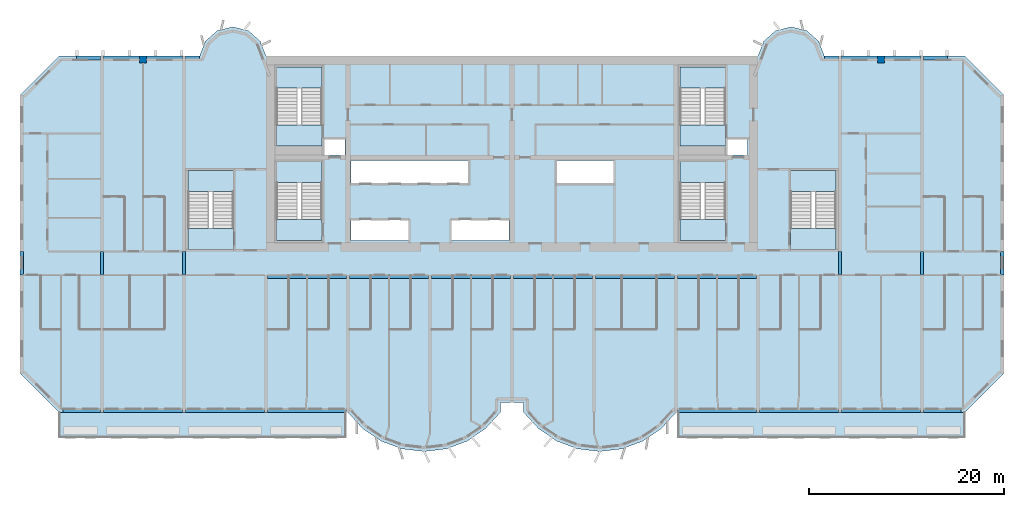
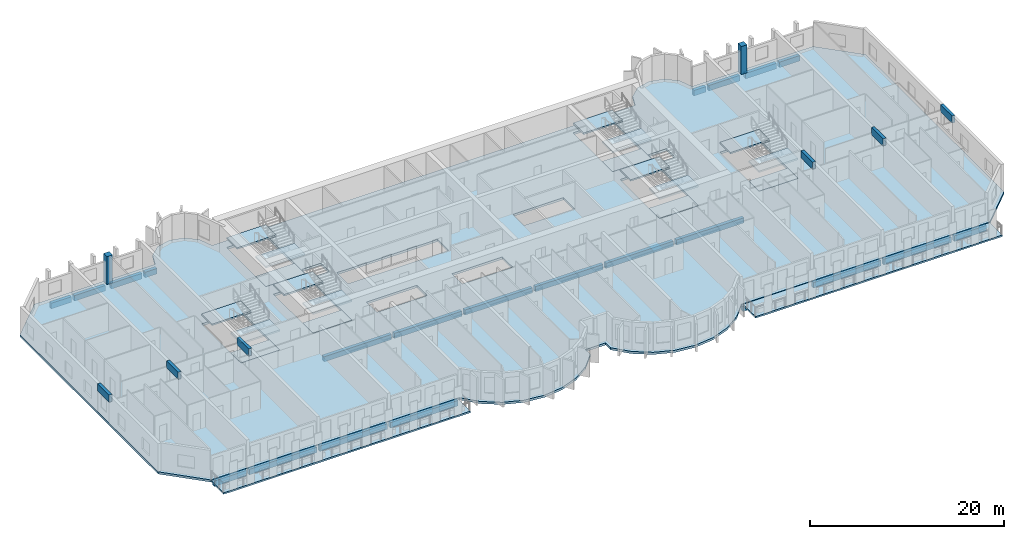
# One storey, part 1 of 14: 28 beams, 21 slabs, 2 columns, 6 elements without a shape of their own.
"""IFC4 building model written with IfcOpenShell, lengths in metres."""

from ifc_helpers import new_model, si_unit, direction, frame, origin, origin_2d, place, context, subcontext, project, spatial, polyline, rectangle, outline, extrude, source, transform, mapped, material, layer, layer_set, material_profile, profile_set, type_object, element, aggregate, save


model = new_model("IFC4")

# Units and contexts
model_context = context("Model", 3, precision=1e-05, world=origin(), true_north=direction((0.0, 1.0)))
body_context = subcontext(model_context, "Body", "Model", "MODEL_VIEW")
ifc_project = project(units=[si_unit("LENGTHUNIT", "METRE"), si_unit("AREAUNIT", "SQUARE_METRE"), si_unit("VOLUMEUNIT", "CUBIC_METRE"), si_unit("PLANEANGLEUNIT", "RADIAN"), si_unit("MASSUNIT", "GRAM", prefix="KILO")], contexts=[model_context])

# Site, building, storey
site_placement = place(None, origin())
site = spatial("IfcSite", under=ifc_project, at=site_placement, CompositionType="ELEMENT")
building_placement = place(site_placement, origin())
building = spatial("IfcBuilding", under=site, at=building_placement, Name="Vanashikhar Sky Hotel", CompositionType="ELEMENT")
storey_placement = place(building_placement, frame((0.0, 0.0, 99.0)))
storey = spatial("IfcBuildingStorey", under=building, at=storey_placement, Name="L23", CompositionType="ELEMENT", Elevation=99.0)

# Columns
ifc_material_1 = material(Name="Concrete M60", Category="concrete")
ifc_material_profile_1 = material_profile(ifc_material_1, rectangle(XDim=0.699951171875, YDim=0.699951171875, at=origin_2d()))
ifc_profile_set_1 = profile_set([ifc_material_profile_1], Name="RC 700x700 column Concrete M60")
column_type = type_object("IfcColumnType", Name="RC 700x700 column Concrete M60", PredefinedType="COLUMN", material=ifc_profile_set_1)
shared_shape_1 = source(origin(), body_context, "Body", "SweptSolid", [
    extrude(rectangle(XDim=0.699951171875, YDim=0.699951171875, at=origin_2d()), origin(), (0.0, 0.0, 1.0), 3.52001953125),
])
for number, where, z_axis, x_axis, name in (
    (1, (12.60009765625, 41.64990234375, 0.0), (0.0, 0.0, 1.0), (1.0, 0.0, 0.0), "CL-L23-CR02"),
    (2, (88.199951171875, 41.64990234375, 0.0), (0.0, 0.0, 1.0), (1.0, 0.0, 0.0), "CL-L23-CR11"),
):
    element("IfcColumn", number, at=place(storey_placement, frame(where, z_axis=z_axis, x_axis=x_axis)), inside=storey, type_object=column_type, Name=name, PredefinedType="COLUMN", context=body_context, shape_type="MappedRepresentation", body=[
        mapped(shared_shape_1, transform((0.0, 0.0, 0.0), scale=1.0)),
    ])

# Beams
ifc_material_2 = material(Name="Concrete M50", Category="concrete")
ifc_material_profile_2 = material_profile(ifc_material_2, rectangle(XDim=0.35009765625, YDim=0.89990234375, at=origin_2d()))
ifc_profile_set_2 = profile_set([ifc_material_profile_2], Name="RC 350x900 beam Concrete M50")
beam_type_1 = type_object("IfcBeamType", Name="RC 350x900 beam Concrete M50", PredefinedType="LINTEL", material=ifc_profile_set_2)
shared_shape_2 = source(origin(), body_context, "Body", "SweptSolid", [
    extrude(rectangle(XDim=0.35009765625, YDim=0.89990234375, at=origin_2d()), origin(), (0.0, 0.0, 1.0), 2.39990234375),
])
for number, where, z_axis, x_axis, name in (
    (3, (0.175048828125, 19.60009765625, 3.070068359375), (0.0, 1.0, 0.0), (-1.0, 0.0, 0.0), "LB-L23-XW01"),
    (4, (8.39990234375, 19.60009765625, 3.070068359375), (0.0, 1.0, 0.0), (-1.0, 0.0, 0.0), "LB-L23-XW02"),
    (5, (16.800048828125, 19.60009765625, 3.070068359375), (0.0, 1.0, 0.0), (-1.0, 0.0, 0.0), "LB-L23-XW03"),
    (6, (84.0, 19.60009765625, 3.070068359375), (0.0, 1.0, 0.0), (-1.0, 0.0, 0.0), "LB-L23-XW11"),
    (7, (92.39990234375, 19.60009765625, 3.070068359375), (0.0, 1.0, 0.0), (-1.0, 0.0, 0.0), "LB-L23-XW12"),
    (8, (100.625, 19.60009765625, 3.070068359375), (0.0, 1.0, 0.0), (-1.0, 0.0, 0.0), "LB-L23-XW13"),
):
    element("IfcBeam", number, at=place(storey_placement, frame(where, z_axis=z_axis, x_axis=x_axis)), inside=storey, type_object=beam_type_1, Name=name, PredefinedType="LINTEL", context=body_context, shape_type="MappedRepresentation", body=[
        mapped(shared_shape_2, transform((0.0, 0.0, 0.0), scale=1.0)),
    ])
ifc_material_profile_3 = material_profile(ifc_material_2, rectangle(XDim=0.39990234375, YDim=0.699951171875, at=origin_2d()))
ifc_profile_set_3 = profile_set([ifc_material_profile_3], Name="RC 400x700 beam Concrete M50")
beam_type_2 = type_object("IfcBeamType", Name="RC 400x700 beam Concrete M50", PredefinedType="SPANDREL", material=ifc_profile_set_3)
shared_shape_3 = source(origin(), body_context, "Body", "SweptSolid", [
    extrude(rectangle(XDim=0.39990234375, YDim=0.699951171875, at=origin_2d()), origin(), (0.0, 0.0, 1.0), 8.050048828125),
])
for number, where, z_axis, x_axis, name in (
    (9, (8.574951171875, 5.699951171875, -0.6298828125), (1.0, 0.0, 0.0), (0.0, 1.0, 0.0), "EB-L23-F01"),
    (10, (25.375, 5.699951171875, -0.6298828125), (1.0, 0.0, 0.0), (0.0, 1.0, 0.0), "EB-L23-F03"),
    (11, (67.375, 5.699951171875, -0.6298828125), (1.0, 0.0, 0.0), (0.0, 1.0, 0.0), "EB-L23-F05"),
    (12, (75.77490234375, 5.699951171875, -0.6298828125), (1.0, 0.0, 0.0), (0.0, 1.0, 0.0), "EB-L23-F06"),
    (13, (84.175048828125, 5.699951171875, -0.6298828125), (1.0, 0.0, 0.0), (0.0, 1.0, 0.0), "EB-L23-F07"),
):
    element("IfcBeam", number, at=place(storey_placement, frame(where, z_axis=z_axis, x_axis=x_axis)), inside=storey, type_object=beam_type_2, Name=name, PredefinedType="SPANDREL", context=body_context, shape_type="MappedRepresentation", body=[
        mapped(shared_shape_3, transform((0.0, 0.0, 0.0), scale=1.0)),
    ])
shared_shape_4 = source(origin(), body_context, "Body", "SweptSolid", [
    extrude(rectangle(XDim=0.39990234375, YDim=0.699951171875, at=origin_2d()), origin(), (0.0, 0.0, 1.0), 8.0498046875),
])
beam_1_placement = place(storey_placement, frame((16.97509765625, 5.699951171875, -0.6298828125), z_axis=(1.0, 0.0, 0.0), x_axis=(0.0, 1.0, 0.0)))
element("IfcBeam", 14, at=beam_1_placement, inside=storey, type_object=beam_type_2, Name="EB-L23-F02", PredefinedType="SPANDREL", context=body_context, shape_type="MappedRepresentation", body=[
    mapped(shared_shape_4, transform((0.0, 0.0, 0.0), scale=1.0)),
])
ifc_material_profile_4 = material_profile(ifc_material_2, rectangle(XDim=0.39990234375, YDim=0.699951171875, at=origin_2d()))
ifc_profile_set_4 = profile_set([ifc_material_profile_4], Name="RC 400x700 cantilever beam Concrete M50")
beam_type_3 = type_object("IfcBeamType", Name="RC 400x700 cantilever beam Concrete M50", PredefinedType="SPANDREL", material=ifc_profile_set_4)
shared_shape_5 = source(origin(), body_context, "Body", "SweptSolid", [
    extrude(rectangle(XDim=0.39990234375, YDim=0.699951171875, at=origin_2d()), origin(), (0.0, 0.0, 1.0), 3.8251953125),
])
beam_2_placement = place(storey_placement, frame((4.39990234375, 5.699951171875, -0.6298828125), z_axis=(1.0, 0.0, 0.0), x_axis=(0.0, 1.0, 0.0)))
element("IfcBeam", 15, at=beam_2_placement, inside=storey, type_object=beam_type_3, Name="EB-L23-F04", PredefinedType="SPANDREL", context=body_context, shape_type="MappedRepresentation", body=[
    mapped(shared_shape_5, transform((0.0, 0.0, 0.0), scale=1.0)),
])
shared_shape_6 = source(origin(), body_context, "Body", "SweptSolid", [
    extrude(rectangle(XDim=0.39990234375, YDim=0.699951171875, at=origin_2d()), origin(), (0.0, 0.0, 1.0), 3.824951171875),
])
beam_3_placement = place(storey_placement, frame((92.574951171875, 5.699951171875, -0.6298828125), z_axis=(1.0, 0.0, 0.0), x_axis=(0.0, 1.0, 0.0)))
element("IfcBeam", 16, at=beam_3_placement, inside=storey, type_object=beam_type_3, Name="EB-L23-F08", PredefinedType="SPANDREL", context=body_context, shape_type="MappedRepresentation", body=[
    mapped(shared_shape_6, transform((0.0, 0.0, 0.0), scale=1.0)),
])
shared_shape_7 = source(origin(), body_context, "Body", "SweptSolid", [
    extrude(rectangle(XDim=0.39990234375, YDim=0.699951171875, at=origin_2d()), origin(), (0.0, 0.0, 1.0), 3.675048828125),
])
for number, where, z_axis, x_axis, name in (
    (17, (8.574951171875, 41.800048828125, -0.6298828125), (1.0, 0.0, 0.0), (0.0, 1.0, 0.0), "EB-L23-R01"),
    (18, (12.949951171875, 41.800048828125, -0.6298828125), (1.0, 0.0, 0.0), (0.0, 1.0, 0.0), "EB-L23-R02"),
    (19, (84.175048828125, 41.800048828125, -0.6298828125), (1.0, 0.0, 0.0), (0.0, 1.0, 0.0), "EB-L23-R05"),
    (20, (88.550048828125, 41.800048828125, -0.6298828125), (1.0, 0.0, 0.0), (0.0, 1.0, 0.0), "EB-L23-R06"),
):
    element("IfcBeam", number, at=place(storey_placement, frame(where, z_axis=z_axis, x_axis=x_axis)), inside=storey, type_object=beam_type_2, Name=name, PredefinedType="SPANDREL", context=body_context, shape_type="MappedRepresentation", body=[
        mapped(shared_shape_7, transform((0.0, 0.0, 0.0), scale=1.0)),
    ])
shared_shape_8 = source(origin(), body_context, "Body", "SweptSolid", [
    extrude(rectangle(XDim=0.39990234375, YDim=0.699951171875, at=origin_2d()), origin(), (0.0, 0.0, 1.0), 2.43017578125),
])
beam_4_placement = place(storey_placement, frame((5.794921875, 41.800048828125, -0.6298828125), z_axis=(1.0, 0.0, 0.0), x_axis=(0.0, 1.0, 0.0)))
element("IfcBeam", 21, at=beam_4_placement, inside=storey, type_object=beam_type_3, Name="EB-L23-R03", PredefinedType="SPANDREL", context=body_context, shape_type="MappedRepresentation", body=[
    mapped(shared_shape_8, transform((0.0, 0.0, 0.0), scale=1.0)),
])
shared_shape_9 = source(origin(), body_context, "Body", "SweptSolid", [
    extrude(rectangle(XDim=0.39990234375, YDim=0.699951171875, at=origin_2d()), origin(), (0.0, 0.0, 1.0), 1.4248046875),
])
beam_5_placement = place(storey_placement, frame((16.97509765625, 41.800048828125, -0.6298828125), z_axis=(1.0, 0.0, 0.0), x_axis=(0.0, 1.0, 0.0)))
element("IfcBeam", 22, at=beam_5_placement, inside=storey, type_object=beam_type_3, Name="EB-L23-R04", PredefinedType="SPANDREL", context=body_context, shape_type="MappedRepresentation", body=[
    mapped(shared_shape_9, transform((0.0, 0.0, 0.0), scale=1.0)),
])
shared_shape_10 = source(origin(), body_context, "Body", "SweptSolid", [
    extrude(rectangle(XDim=0.39990234375, YDim=0.699951171875, at=origin_2d()), origin(), (0.0, 0.0, 1.0), 1.425048828125),
])
beam_6_placement = place(storey_placement, frame((82.39990234375, 41.800048828125, -0.6298828125), z_axis=(1.0, 0.0, 0.0), x_axis=(0.0, 1.0, 0.0)))
element("IfcBeam", 23, at=beam_6_placement, inside=storey, type_object=beam_type_3, Name="EB-L23-R07", PredefinedType="SPANDREL", context=body_context, shape_type="MappedRepresentation", body=[
    mapped(shared_shape_10, transform((0.0, 0.0, 0.0), scale=1.0)),
])
shared_shape_11 = source(origin(), body_context, "Body", "SweptSolid", [
    extrude(rectangle(XDim=0.39990234375, YDim=0.699951171875, at=origin_2d()), origin(), (0.0, 0.0, 1.0), 2.429931640625),
])
beam_7_placement = place(storey_placement, frame((92.574951171875, 41.800048828125, -0.6298828125), z_axis=(1.0, 0.0, 0.0), x_axis=(0.0, 1.0, 0.0)))
element("IfcBeam", 24, at=beam_7_placement, inside=storey, type_object=beam_type_3, Name="EB-L23-R08", PredefinedType="SPANDREL", context=body_context, shape_type="MappedRepresentation", body=[
    mapped(shared_shape_11, transform((0.0, 0.0, 0.0), scale=1.0)),
])
ifc_material_profile_5 = material_profile(ifc_material_2, rectangle(XDim=0.39990234375, YDim=0.64990234375, at=origin_2d()))
ifc_profile_set_5 = profile_set([ifc_material_profile_5], Name="RC 400x650 beam Concrete M50")
beam_type_4 = type_object("IfcBeamType", Name="RC 400x650 beam Concrete M50", PredefinedType="BEAM", material=ifc_profile_set_5)
shared_shape_12 = source(origin(), body_context, "Body", "SweptSolid", [
    extrude(rectangle(XDim=0.39990234375, YDim=0.64990234375, at=origin_2d()), origin(), (0.0, 0.0, 1.0), 8.050048828125),
])
for number, where, z_axis, x_axis, name in (
    (25, (25.375, 19.39990234375, -0.60498046875), (1.0, 0.0, 0.0), (0.0, 1.0, 0.0), "CB-L23-01"),
    (26, (33.77490234375, 19.39990234375, -0.60498046875), (1.0, 0.0, 0.0), (0.0, 1.0, 0.0), "CB-L23-02"),
    (27, (42.175048828125, 19.39990234375, -0.60498046875), (1.0, 0.0, 0.0), (0.0, 1.0, 0.0), "CB-L23-03"),
    (28, (50.574951171875, 19.39990234375, -0.60498046875), (1.0, 0.0, 0.0), (0.0, 1.0, 0.0), "CB-L23-04"),
    (29, (67.375, 19.39990234375, -0.60498046875), (1.0, 0.0, 0.0), (0.0, 1.0, 0.0), "CB-L23-06"),
):
    element("IfcBeam", number, at=place(storey_placement, frame(where, z_axis=z_axis, x_axis=x_axis)), inside=storey, type_object=beam_type_4, Name=name, PredefinedType="BEAM", context=body_context, shape_type="MappedRepresentation", body=[
        mapped(shared_shape_12, transform((0.0, 0.0, 0.0), scale=1.0)),
    ])
shared_shape_13 = source(origin(), body_context, "Body", "SweptSolid", [
    extrude(rectangle(XDim=0.39990234375, YDim=0.64990234375, at=origin_2d()), origin(), (0.0, 0.0, 1.0), 8.0498046875),
])
beam_8_placement = place(storey_placement, frame((58.97509765625, 19.39990234375, -0.60498046875), z_axis=(1.0, 0.0, 0.0), x_axis=(0.0, 1.0, 0.0)))
element("IfcBeam", 30, at=beam_8_placement, inside=storey, type_object=beam_type_4, Name="CB-L23-05", PredefinedType="BEAM", context=body_context, shape_type="MappedRepresentation", body=[
    mapped(shared_shape_13, transform((0.0, 0.0, 0.0), scale=1.0)),
])

# Slabs
ifc_material_3 = material(Name="Concrete M40", Category="concrete")
ifc_layer_1 = layer(ifc_material_3, 0.280029296875)
ifc_layer_set_1 = layer_set([ifc_layer_1], Name="Floor slab 280 mm")
slab_type_1 = type_object("IfcSlabType", Name="Floor slab 280 mm", PredefinedType="FLOOR", material=ifc_layer_set_1)
shared_shape_14 = source(origin(), body_context, "Body", "SweptSolid", [
    extrude(outline(polyline([(49.199951171875, 5.5), (49.199951171875, 6.5), (51.60009765625, 6.5), (51.60009765625, 5.5), (53.133056640625, 3.825927734375), (55.01708984375, 2.55810546875), (57.14599609375, 1.76806640625), (59.39990234375, 1.5), (61.654052734375, 1.76806640625), (63.782958984375, 2.55810546875), (65.6669921875, 3.825927734375), (67.199951171875, 5.5), (96.800048828125, 5.5), (100.800048828125, 9.5), (100.800048828125, 38.0), (96.800048828125, 42.0), (82.39990234375, 42.0), (81.81494140625, 43.527099609375), (80.587890625, 44.610107421875), (79.0, 45.0), (77.412109375, 44.610107421875), (76.18505859375, 43.527099609375), (75.60009765625, 42.0), (25.199951171875, 42.0), (24.614990234375, 43.527099609375), (23.387939453125, 44.610107421875), (21.800048828125, 45.0), (20.2119140625, 44.610107421875), (18.985107421875, 43.527099609375), (18.39990234375, 42.0), (4.0, 42.0), (0.0, 38.0), (0.0, 9.5), (4.0, 5.5), (33.60009765625, 5.5), (35.133056640625, 3.825927734375), (37.01708984375, 2.55810546875), (39.14599609375, 1.76806640625), (41.39990234375, 1.5), (43.654052734375, 1.76806640625), (45.782958984375, 2.55810546875), (47.6669921875, 3.825927734375), (49.199951171875, 5.5)]), holes=[polyline([(33.300048828125, 33.60009765625), (31.050048828125, 33.60009765625), (31.050048828125, 31.89990234375), (33.300048828125, 31.89990234375), (33.300048828125, 33.60009765625)]), polyline([(33.89990234375, 25.199951171875), (33.89990234375, 23.10009765625), (39.89990234375, 23.10009765625), (39.89990234375, 25.199951171875), (33.89990234375, 25.199951171875)]), polyline([(33.89990234375, 31.300048828125), (33.89990234375, 29.0), (45.89990234375, 29.0), (45.89990234375, 31.300048828125), (33.89990234375, 31.300048828125)]), polyline([(44.10009765625, 25.199951171875), (44.10009765625, 23.10009765625), (50.10009765625, 23.10009765625), (50.10009765625, 25.199951171875), (44.10009765625, 25.199951171875)]), polyline([(54.89990234375, 31.300048828125), (54.89990234375, 29.0), (60.89990234375, 29.0), (60.89990234375, 31.300048828125), (54.89990234375, 31.300048828125)]), polyline([(74.5, 33.60009765625), (72.35009765625, 33.60009765625), (72.35009765625, 31.89990234375), (74.5, 31.89990234375), (74.5, 33.60009765625)]), polyline([(30.949951171875, 23.10009765625), (30.949951171875, 31.199951171875), (26.300048828125, 31.199951171875), (26.300048828125, 23.10009765625), (30.949951171875, 23.10009765625)]), polyline([(72.25, 23.10009765625), (72.25, 31.199951171875), (67.60009765625, 31.199951171875), (67.60009765625, 23.10009765625), (72.25, 23.10009765625)]), polyline([(30.949951171875, 32.800048828125), (30.949951171875, 40.89990234375), (26.300048828125, 40.89990234375), (26.300048828125, 32.800048828125), (30.949951171875, 32.800048828125)]), polyline([(72.25, 32.800048828125), (72.25, 40.89990234375), (67.60009765625, 40.89990234375), (67.60009765625, 32.800048828125), (72.25, 32.800048828125)]), polyline([(83.60009765625, 22.199951171875), (83.60009765625, 30.300048828125), (78.949951171875, 30.300048828125), (78.949951171875, 22.199951171875), (83.60009765625, 22.199951171875)]), polyline([(21.85009765625, 22.199951171875), (21.85009765625, 30.300048828125), (17.199951171875, 30.300048828125), (17.199951171875, 22.199951171875), (21.85009765625, 22.199951171875)])]), origin(), (0.0, 0.0, 1.0), 0.280029296875),
])
slab_1_placement = place(storey_placement, frame((0.0, 0.0, -0.280029296875)))
element("IfcSlab", 31, at=slab_1_placement, inside=storey, type_object=slab_type_1, Name="Floor slab L23", PredefinedType="FLOOR", context=body_context, shape_type="MappedRepresentation", body=[
    mapped(shared_shape_14, transform((0.0, 0.0, 0.0), scale=1.0)),
])
ifc_layer_2 = layer(ifc_material_3, 0.199951171875)
ifc_layer_set_2 = layer_set([ifc_layer_2], Name="Balcony slab 200 mm")
slab_type_2 = type_object("IfcSlabType", Name="Balcony slab 200 mm", PredefinedType="USERDEFINED", material=ifc_layer_set_2)
shared_shape_15 = source(origin(), body_context, "Body", "SweptSolid", [
    extrude(outline(polyline([(4.0, 2.89990234375), (33.39990234375, 2.89990234375), (33.39990234375, 5.5), (4.0, 5.5), (4.0, 2.89990234375)])), origin(), (0.0, 0.0, 1.0), 0.199951171875),
])
slab_2_placement = place(storey_placement, frame((0.0, 0.0, -0.25)))
element("IfcSlab", 32, at=slab_2_placement, inside=storey, type_object=slab_type_2, Name="Balcony slab L23 1", ObjectType="BALCONY", PredefinedType="USERDEFINED", context=body_context, shape_type="MappedRepresentation", body=[
    mapped(shared_shape_15, transform((0.0, 0.0, 0.0), scale=1.0)),
])
shared_shape_16 = source(origin(), body_context, "Body", "SweptSolid", [
    extrude(outline(polyline([(67.39990234375, 2.89990234375), (96.800048828125, 2.89990234375), (96.800048828125, 5.5), (67.39990234375, 5.5), (67.39990234375, 2.89990234375)])), origin(), (0.0, 0.0, 1.0), 0.199951171875),
])
slab_3_placement = place(storey_placement, frame((0.0, 0.0, -0.25)))
element("IfcSlab", 33, at=slab_3_placement, inside=storey, type_object=slab_type_2, Name="Balcony slab L23 2", ObjectType="BALCONY", PredefinedType="USERDEFINED", context=body_context, shape_type="MappedRepresentation", body=[
    mapped(shared_shape_16, transform((0.0, 0.0, 0.0), scale=1.0)),
])

# Stair, slabs
stair_type = type_object("IfcStairType", Name="Exit stair 2150", PredefinedType="DOUBLE_RETURN_STAIR", material=ifc_material_3)
stair_1_placement = place(storey_placement, origin())
stair_1 = element("IfcStair", 34, at=stair_1_placement, inside=storey, type_object=stair_type, Name="L23 Exit stair 1", PredefinedType="DOUBLE_RETURN_STAIR")
ifc_layer_3 = layer(ifc_material_3, 0.199951171875)
ifc_layer_set_3 = layer_set([ifc_layer_3], Name="Stair landing 200")
slab_type_3 = type_object("IfcSlabType", Name="Stair landing 200", PredefinedType="LANDING", material=ifc_layer_set_3)
shared_shape_17 = source(origin(), body_context, "Body", "SweptSolid", [
    extrude(outline(polyline([(30.949951171875, 29.050048828125), (30.949951171875, 31.199951171875), (26.300048828125, 31.199951171875), (26.300048828125, 29.050048828125), (30.949951171875, 29.050048828125)])), origin(), (0.0, 0.0, 1.0), 0.199951171875),
])
slab_4_placement = place(storey_placement, frame((0.0, 0.0, 1.066650390625)))
slab_4 = element("IfcSlab", 35, at=slab_4_placement, type_object=slab_type_3, Name="ST-C1 landing 1", PredefinedType="LANDING", context=body_context, shape_type="MappedRepresentation", body=[
    mapped(shared_shape_17, transform((0.0, 0.0, 0.0), scale=1.0)),
])
shared_shape_18 = source(origin(), body_context, "Body", "SweptSolid", [
    extrude(outline(polyline([(30.949951171875, 23.10009765625), (30.949951171875, 25.25), (26.300048828125, 25.25), (26.300048828125, 23.10009765625), (30.949951171875, 23.10009765625)])), origin(), (0.0, 0.0, 1.0), 0.2001953125),
])
slab_5_placement = place(storey_placement, frame((0.0, 0.0, 2.333251953125)))
slab_5 = element("IfcSlab", 36, at=slab_5_placement, type_object=slab_type_3, Name="ST-C1 landing 2", PredefinedType="LANDING", context=body_context, shape_type="MappedRepresentation", body=[
    mapped(shared_shape_18, transform((0.0, 0.0, 0.0), scale=1.0)),
])
aggregate(stair_1, [slab_4, slab_5])

# Slab
ifc_layer_4 = layer(ifc_material_3, 0.280029296875)
ifc_layer_set_4 = layer_set([ifc_layer_4], Name="Stair floor landing 280")
slab_type_4 = type_object("IfcSlabType", Name="Stair floor landing 280", PredefinedType="LANDING", material=ifc_layer_set_4)
shared_shape_19 = source(origin(), body_context, "Body", "SweptSolid", [
    extrude(outline(polyline([(30.949951171875, 23.10009765625), (30.949951171875, 25.25), (26.300048828125, 25.25), (26.300048828125, 23.10009765625), (30.949951171875, 23.10009765625)])), origin(), (0.0, 0.0, 1.0), 0.280029296875),
])
slab_6_placement = place(storey_placement, frame((0.0, 0.0, -0.280029296875)))
element("IfcSlab", 37, at=slab_6_placement, inside=storey, type_object=slab_type_4, Name="Exit stair 1 floor landing", PredefinedType="LANDING", context=body_context, shape_type="MappedRepresentation", body=[
    mapped(shared_shape_19, transform((0.0, 0.0, 0.0), scale=1.0)),
])

# Stair, slabs
stair_2_placement = place(storey_placement, origin())
stair_2 = element("IfcStair", 38, at=stair_2_placement, inside=storey, type_object=stair_type, Name="L23 Exit stair 2", PredefinedType="DOUBLE_RETURN_STAIR")
shared_shape_20 = source(origin(), body_context, "Body", "SweptSolid", [
    extrude(outline(polyline([(72.25, 29.050048828125), (72.25, 31.199951171875), (67.60009765625, 31.199951171875), (67.60009765625, 29.050048828125), (72.25, 29.050048828125)])), origin(), (0.0, 0.0, 1.0), 0.199951171875),
])
slab_7_placement = place(storey_placement, frame((0.0, 0.0, 1.066650390625)))
slab_7 = element("IfcSlab", 39, at=slab_7_placement, type_object=slab_type_3, Name="ST-C2 landing 1", PredefinedType="LANDING", context=body_context, shape_type="MappedRepresentation", body=[
    mapped(shared_shape_20, transform((0.0, 0.0, 0.0), scale=1.0)),
])
shared_shape_21 = source(origin(), body_context, "Body", "SweptSolid", [
    extrude(outline(polyline([(72.25, 23.10009765625), (72.25, 25.25), (67.60009765625, 25.25), (67.60009765625, 23.10009765625), (72.25, 23.10009765625)])), origin(), (0.0, 0.0, 1.0), 0.2001953125),
])
slab_8_placement = place(storey_placement, frame((0.0, 0.0, 2.333251953125)))
slab_8 = element("IfcSlab", 40, at=slab_8_placement, type_object=slab_type_3, Name="ST-C2 landing 2", PredefinedType="LANDING", context=body_context, shape_type="MappedRepresentation", body=[
    mapped(shared_shape_21, transform((0.0, 0.0, 0.0), scale=1.0)),
])
aggregate(stair_2, [slab_7, slab_8])

# Slab
shared_shape_22 = source(origin(), body_context, "Body", "SweptSolid", [
    extrude(outline(polyline([(72.25, 23.10009765625), (72.25, 25.25), (67.60009765625, 25.25), (67.60009765625, 23.10009765625), (72.25, 23.10009765625)])), origin(), (0.0, 0.0, 1.0), 0.280029296875),
])
slab_9_placement = place(storey_placement, frame((0.0, 0.0, -0.280029296875)))
element("IfcSlab", 41, at=slab_9_placement, inside=storey, type_object=slab_type_4, Name="Exit stair 2 floor landing", PredefinedType="LANDING", context=body_context, shape_type="MappedRepresentation", body=[
    mapped(shared_shape_22, transform((0.0, 0.0, 0.0), scale=1.0)),
])

# Stair, slabs
stair_3_placement = place(storey_placement, origin())
stair_3 = element("IfcStair", 42, at=stair_3_placement, inside=storey, type_object=stair_type, Name="L23 Exit stair 3", PredefinedType="DOUBLE_RETURN_STAIR")
shared_shape_23 = source(origin(), body_context, "Body", "SweptSolid", [
    extrude(outline(polyline([(21.85009765625, 28.14990234375), (21.85009765625, 30.300048828125), (17.199951171875, 30.300048828125), (17.199951171875, 28.14990234375), (21.85009765625, 28.14990234375)])), origin(), (0.0, 0.0, 1.0), 0.199951171875),
])
slab_10_placement = place(storey_placement, frame((0.0, 0.0, 1.066650390625)))
slab_10 = element("IfcSlab", 43, at=slab_10_placement, type_object=slab_type_3, Name="ST-W landing 1", PredefinedType="LANDING", context=body_context, shape_type="MappedRepresentation", body=[
    mapped(shared_shape_23, transform((0.0, 0.0, 0.0), scale=1.0)),
])
shared_shape_24 = source(origin(), body_context, "Body", "SweptSolid", [
    extrude(outline(polyline([(21.85009765625, 22.199951171875), (21.85009765625, 24.35009765625), (17.199951171875, 24.35009765625), (17.199951171875, 22.199951171875), (21.85009765625, 22.199951171875)])), origin(), (0.0, 0.0, 1.0), 0.2001953125),
])
slab_11_placement = place(storey_placement, frame((0.0, 0.0, 2.333251953125)))
slab_11 = element("IfcSlab", 44, at=slab_11_placement, type_object=slab_type_3, Name="ST-W landing 2", PredefinedType="LANDING", context=body_context, shape_type="MappedRepresentation", body=[
    mapped(shared_shape_24, transform((0.0, 0.0, 0.0), scale=1.0)),
])
aggregate(stair_3, [slab_10, slab_11])

# Slab
shared_shape_25 = source(origin(), body_context, "Body", "SweptSolid", [
    extrude(outline(polyline([(21.85009765625, 22.199951171875), (21.85009765625, 24.35009765625), (17.199951171875, 24.35009765625), (17.199951171875, 22.199951171875), (21.85009765625, 22.199951171875)])), origin(), (0.0, 0.0, 1.0), 0.280029296875),
])
slab_12_placement = place(storey_placement, frame((0.0, 0.0, -0.280029296875)))
element("IfcSlab", 45, at=slab_12_placement, inside=storey, type_object=slab_type_4, Name="Exit stair 3 floor landing", PredefinedType="LANDING", context=body_context, shape_type="MappedRepresentation", body=[
    mapped(shared_shape_25, transform((0.0, 0.0, 0.0), scale=1.0)),
])

# Stair, slabs
stair_4_placement = place(storey_placement, origin())
stair_4 = element("IfcStair", 46, at=stair_4_placement, inside=storey, type_object=stair_type, Name="L23 Exit stair 4", PredefinedType="DOUBLE_RETURN_STAIR")
shared_shape_26 = source(origin(), body_context, "Body", "SweptSolid", [
    extrude(outline(polyline([(83.60009765625, 28.14990234375), (83.60009765625, 30.300048828125), (78.949951171875, 30.300048828125), (78.949951171875, 28.14990234375), (83.60009765625, 28.14990234375)])), origin(), (0.0, 0.0, 1.0), 0.199951171875),
])
slab_13_placement = place(storey_placement, frame((0.0, 0.0, 1.066650390625)))
slab_13 = element("IfcSlab", 47, at=slab_13_placement, type_object=slab_type_3, Name="ST-E landing 1", PredefinedType="LANDING", context=body_context, shape_type="MappedRepresentation", body=[
    mapped(shared_shape_26, transform((0.0, 0.0, 0.0), scale=1.0)),
])
shared_shape_27 = source(origin(), body_context, "Body", "SweptSolid", [
    extrude(outline(polyline([(83.60009765625, 22.199951171875), (83.60009765625, 24.35009765625), (78.949951171875, 24.35009765625), (78.949951171875, 22.199951171875), (83.60009765625, 22.199951171875)])), origin(), (0.0, 0.0, 1.0), 0.2001953125),
])
slab_14_placement = place(storey_placement, frame((0.0, 0.0, 2.333251953125)))
slab_14 = element("IfcSlab", 48, at=slab_14_placement, type_object=slab_type_3, Name="ST-E landing 2", PredefinedType="LANDING", context=body_context, shape_type="MappedRepresentation", body=[
    mapped(shared_shape_27, transform((0.0, 0.0, 0.0), scale=1.0)),
])
aggregate(stair_4, [slab_13, slab_14])

# Slab
shared_shape_28 = source(origin(), body_context, "Body", "SweptSolid", [
    extrude(outline(polyline([(83.60009765625, 22.199951171875), (83.60009765625, 24.35009765625), (78.949951171875, 24.35009765625), (78.949951171875, 22.199951171875), (83.60009765625, 22.199951171875)])), origin(), (0.0, 0.0, 1.0), 0.280029296875),
])
slab_15_placement = place(storey_placement, frame((0.0, 0.0, -0.280029296875)))
element("IfcSlab", 49, at=slab_15_placement, inside=storey, type_object=slab_type_4, Name="Exit stair 4 floor landing", PredefinedType="LANDING", context=body_context, shape_type="MappedRepresentation", body=[
    mapped(shared_shape_28, transform((0.0, 0.0, 0.0), scale=1.0)),
])

# Stair, slabs
stair_5_placement = place(storey_placement, origin())
stair_5 = element("IfcStair", 50, at=stair_5_placement, inside=storey, type_object=stair_type, Name="L23 Exit stair 5", PredefinedType="DOUBLE_RETURN_STAIR")
shared_shape_29 = source(origin(), body_context, "Body", "SweptSolid", [
    extrude(outline(polyline([(30.949951171875, 38.75), (30.949951171875, 40.89990234375), (26.300048828125, 40.89990234375), (26.300048828125, 38.75), (30.949951171875, 38.75)])), origin(), (0.0, 0.0, 1.0), 0.199951171875),
])
slab_16_placement = place(storey_placement, frame((0.0, 0.0, 1.066650390625)))
slab_16 = element("IfcSlab", 51, at=slab_16_placement, type_object=slab_type_3, Name="ST-C3 landing 1", PredefinedType="LANDING", context=body_context, shape_type="MappedRepresentation", body=[
    mapped(shared_shape_29, transform((0.0, 0.0, 0.0), scale=1.0)),
])
shared_shape_30 = source(origin(), body_context, "Body", "SweptSolid", [
    extrude(outline(polyline([(30.949951171875, 32.800048828125), (30.949951171875, 34.949951171875), (26.300048828125, 34.949951171875), (26.300048828125, 32.800048828125), (30.949951171875, 32.800048828125)])), origin(), (0.0, 0.0, 1.0), 0.2001953125),
])
slab_17_placement = place(storey_placement, frame((0.0, 0.0, 2.333251953125)))
slab_17 = element("IfcSlab", 52, at=slab_17_placement, type_object=slab_type_3, Name="ST-C3 landing 2", PredefinedType="LANDING", context=body_context, shape_type="MappedRepresentation", body=[
    mapped(shared_shape_30, transform((0.0, 0.0, 0.0), scale=1.0)),
])
aggregate(stair_5, [slab_16, slab_17])

# Slab
shared_shape_31 = source(origin(), body_context, "Body", "SweptSolid", [
    extrude(outline(polyline([(30.949951171875, 32.800048828125), (30.949951171875, 34.949951171875), (26.300048828125, 34.949951171875), (26.300048828125, 32.800048828125), (30.949951171875, 32.800048828125)])), origin(), (0.0, 0.0, 1.0), 0.280029296875),
])
slab_18_placement = place(storey_placement, frame((0.0, 0.0, -0.280029296875)))
element("IfcSlab", 53, at=slab_18_placement, inside=storey, type_object=slab_type_4, Name="Exit stair 5 floor landing", PredefinedType="LANDING", context=body_context, shape_type="MappedRepresentation", body=[
    mapped(shared_shape_31, transform((0.0, 0.0, 0.0), scale=1.0)),
])

# Stair, slabs
stair_6_placement = place(storey_placement, origin())
stair_6 = element("IfcStair", 54, at=stair_6_placement, inside=storey, type_object=stair_type, Name="L23 Exit stair 6", PredefinedType="DOUBLE_RETURN_STAIR")
shared_shape_32 = source(origin(), body_context, "Body", "SweptSolid", [
    extrude(outline(polyline([(72.25, 38.75), (72.25, 40.89990234375), (67.60009765625, 40.89990234375), (67.60009765625, 38.75), (72.25, 38.75)])), origin(), (0.0, 0.0, 1.0), 0.199951171875),
])
slab_19_placement = place(storey_placement, frame((0.0, 0.0, 1.066650390625)))
slab_19 = element("IfcSlab", 55, at=slab_19_placement, type_object=slab_type_3, Name="ST-C4 landing 1", PredefinedType="LANDING", context=body_context, shape_type="MappedRepresentation", body=[
    mapped(shared_shape_32, transform((0.0, 0.0, 0.0), scale=1.0)),
])
shared_shape_33 = source(origin(), body_context, "Body", "SweptSolid", [
    extrude(outline(polyline([(72.25, 32.800048828125), (72.25, 34.949951171875), (67.60009765625, 34.949951171875), (67.60009765625, 32.800048828125), (72.25, 32.800048828125)])), origin(), (0.0, 0.0, 1.0), 0.2001953125),
])
slab_20_placement = place(storey_placement, frame((0.0, 0.0, 2.333251953125)))
slab_20 = element("IfcSlab", 56, at=slab_20_placement, type_object=slab_type_3, Name="ST-C4 landing 2", PredefinedType="LANDING", context=body_context, shape_type="MappedRepresentation", body=[
    mapped(shared_shape_33, transform((0.0, 0.0, 0.0), scale=1.0)),
])
aggregate(stair_6, [slab_19, slab_20])

# Slab
shared_shape_34 = source(origin(), body_context, "Body", "SweptSolid", [
    extrude(outline(polyline([(72.25, 32.800048828125), (72.25, 34.949951171875), (67.60009765625, 34.949951171875), (67.60009765625, 32.800048828125), (72.25, 32.800048828125)])), origin(), (0.0, 0.0, 1.0), 0.280029296875),
])
slab_21_placement = place(storey_placement, frame((0.0, 0.0, -0.280029296875)))
element("IfcSlab", 57, at=slab_21_placement, inside=storey, type_object=slab_type_4, Name="Exit stair 6 floor landing", PredefinedType="LANDING", context=body_context, shape_type="MappedRepresentation", body=[
    mapped(shared_shape_34, transform((0.0, 0.0, 0.0), scale=1.0)),
])

save(model, "model.ifc")
